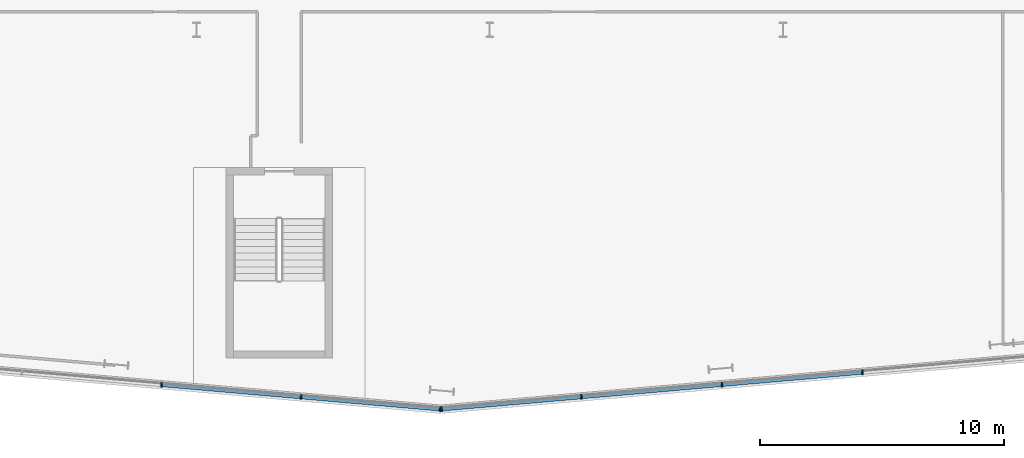
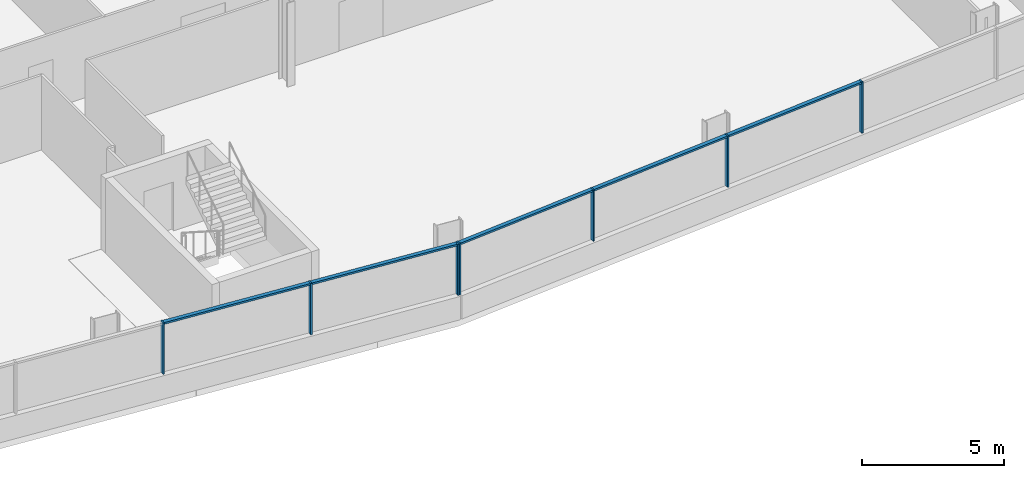
# One storey, part 6 of 24: 12 members, 2 elements without a shape of their own.
"""IFC4 building model written with IfcOpenShell, lengths in metres."""

from ifc_helpers import new_model, si_unit, direction, frame, origin, origin_2d, place, context, subcontext, project, spatial, rectangle, extrude, material, material_profile, profile_set, type_object, element, aggregate, save


model = new_model("IFC4")

# Units and contexts
model_context = context("Model", 3, precision=1e-05, world=origin(), true_north=direction((0.0, 1.0)))
body_context = subcontext(model_context, "Body", "Model", "MODEL_VIEW")
ifc_project = project(units=[si_unit("LENGTHUNIT", "METRE"), si_unit("AREAUNIT", "SQUARE_METRE"), si_unit("VOLUMEUNIT", "CUBIC_METRE"), si_unit("PLANEANGLEUNIT", "RADIAN"), si_unit("MASSUNIT", "GRAM", prefix="KILO")], contexts=[model_context])

# Site, building, storey
site_placement = place(None, origin())
site = spatial("IfcSite", under=ifc_project, at=site_placement, CompositionType="ELEMENT")
building_placement = place(site_placement, origin())
building = spatial("IfcBuilding", under=site, at=building_placement, Name="Wharfspan Tower", CompositionType="ELEMENT")
storey_placement = place(building_placement, frame((0.0, 0.0, 41.5)))
storey = spatial("IfcBuildingStorey", under=building, at=storey_placement, Name="L06", CompositionType="ELEMENT", Elevation=41.5)

# Curtain wall, members
ifc_material = material(Name="Aluminium 6063-T6", Category="aluminium")
curtain_wall_type = type_object("IfcCurtainWallType", Name="CURTAIN WALL FACETED FRONT", PredefinedType="NOTDEFINED", material=ifc_material)
curtain_wall_1_placement = place(storey_placement, origin())
curtain_wall_1 = element("IfcCurtainWall", 1, at=curtain_wall_1_placement, inside=storey, type_object=curtain_wall_type, Name="Curtain wall S1", PredefinedType="NOTDEFINED")
ifc_material_profile_1 = material_profile(ifc_material, rectangle(XDim=0.199951, YDim=0.060059, at=origin_2d()))
ifc_profile_set_1 = profile_set([ifc_material_profile_1], Name="Aluminium 6063-T6")
member_type_1 = type_object("IfcMemberType", Name="MULLION FACETED FRONT 60x200", PredefinedType="MULLION", material=ifc_profile_set_1)
member_1_placement = place(storey_placement, frame((34.571533, -3.024658, 1.0), z_axis=(0.0, 0.0, 1.0), x_axis=(0.087156, 0.996197, 0.0)))
member_1 = element("IfcMember", 2, at=member_1_placement, type_object=member_type_1, Name="Curtain wall S1 mullion 6", PredefinedType="MULLION", context=body_context, shape_type="SweptSolid", body=[
    extrude(rectangle(XDim=0.199951, YDim=0.060059, at=origin_2d()), origin(), (0.0, 0.0, 1.0), 2.199951),
])
member_2_placement = place(storey_placement, frame((40.285645, -3.524658, 1.0), z_axis=(0.0, 0.0, 1.0), x_axis=(0.087156, 0.996197, 0.0)))
member_2 = element("IfcMember", 3, at=member_2_placement, type_object=member_type_1, Name="Curtain wall S1 mullion 7", PredefinedType="MULLION", context=body_context, shape_type="SweptSolid", body=[
    extrude(rectangle(XDim=0.199951, YDim=0.060059, at=origin_2d()), origin(), (0.0, 0.0, 1.0), 2.199951),
])
member_3_placement = place(storey_placement, frame((45.970215, -4.021973, 1.0), z_axis=(0.0, 0.0, 1.0), x_axis=(0.087156, 0.996197, 0.0)))
member_3 = element("IfcMember", 4, at=member_3_placement, type_object=member_type_1, Name="Curtain wall S1 mullion 8", PredefinedType="MULLION", context=body_context, shape_type="SweptSolid", body=[
    extrude(rectangle(XDim=0.199951, YDim=0.060059, at=origin_2d()), origin(), (0.0, 0.0, 1.0), 2.199951),
])

curtain_wall_2_placement = place(storey_placement, origin())
curtain_wall_2 = element("IfcCurtainWall", 5, at=curtain_wall_2_placement, inside=storey, type_object=curtain_wall_type, Name="Curtain wall S2", PredefinedType="NOTDEFINED")
member_4_placement = place(storey_placement, frame((46.029785, -4.021973, 1.0), z_axis=(0.0, 0.0, 1.0), x_axis=(-0.087156, 0.996197, 0.0)))
member_4 = element("IfcMember", 6, at=member_4_placement, type_object=member_type_1, Name="Curtain wall S2 mullion 1", PredefinedType="MULLION", context=body_context, shape_type="SweptSolid", body=[
    extrude(rectangle(XDim=0.199951, YDim=0.060059, at=origin_2d()), origin(), (0.0, 0.0, 1.0), 2.199951),
])
member_5_placement = place(storey_placement, frame((51.75, -3.521484, 1.0), z_axis=(0.0, 0.0, 1.0), x_axis=(-0.087156, 0.996197, 0.0)))
member_5 = element("IfcMember", 7, at=member_5_placement, type_object=member_type_1, Name="Curtain wall S2 mullion 2", PredefinedType="MULLION", context=body_context, shape_type="SweptSolid", body=[
    extrude(rectangle(XDim=0.199951, YDim=0.060059, at=origin_2d()), origin(), (0.0, 0.0, 1.0), 2.199951),
])
member_6_placement = place(storey_placement, frame((57.5, -3.018311, 1.0), z_axis=(0.0, 0.0, 1.0), x_axis=(-0.087156, 0.996197, 0.0)))
member_6 = element("IfcMember", 8, at=member_6_placement, type_object=member_type_1, Name="Curtain wall S2 mullion 3", PredefinedType="MULLION", context=body_context, shape_type="SweptSolid", body=[
    extrude(rectangle(XDim=0.199951, YDim=0.060059, at=origin_2d()), origin(), (0.0, 0.0, 1.0), 2.199951),
])
member_7_placement = place(storey_placement, frame((63.25, -2.515381, 1.0), z_axis=(0.0, 0.0, 1.0), x_axis=(-0.087156, 0.996197, 0.0)))
member_7 = element("IfcMember", 9, at=member_7_placement, type_object=member_type_1, Name="Curtain wall S2 mullion 4", PredefinedType="MULLION", context=body_context, shape_type="SweptSolid", body=[
    extrude(rectangle(XDim=0.199951, YDim=0.060059, at=origin_2d()), origin(), (0.0, 0.0, 1.0), 2.199951),
])

# Member
ifc_material_profile_2 = material_profile(ifc_material, rectangle(XDim=0.159912, YDim=0.080078, at=origin_2d()))
ifc_profile_set_2 = profile_set([ifc_material_profile_2], Name="Aluminium 6063-T6")
member_type_2 = type_object("IfcMemberType", Name="TRANSOM FACETED FRONT 80x160", PredefinedType="USERDEFINED", material=ifc_profile_set_2)
member_8_placement = place(storey_placement, frame((34.601318, -3.027344, 3.159912), z_axis=(0.996196, -0.087142, 0.0), x_axis=(0.087142, 0.996196, 0.0)))
member_8 = element("IfcMember", 10, at=member_8_placement, type_object=member_type_2, Name="Curtain wall S1 transom 6", ObjectType="TRANSOM", PredefinedType="USERDEFINED", context=body_context, shape_type="SweptSolid", body=[
    extrude(rectangle(XDim=0.159912, YDim=0.080078, at=origin_2d()), origin(), (0.0, 0.0, 1.0), 5.676025),
])

member_9_placement = place(storey_placement, frame((40.315674, -3.5271, 3.159912), z_axis=(0.996193, -0.087174, 0.0), x_axis=(0.087174, 0.996193, 0.0)))
member_9 = element("IfcMember", 11, at=member_9_placement, type_object=member_type_2, Name="Curtain wall S1 transom 7", ObjectType="TRANSOM", PredefinedType="USERDEFINED", context=body_context, shape_type="SweptSolid", body=[
    extrude(rectangle(XDim=0.159912, YDim=0.080078, at=origin_2d()), origin(), (0.0, 0.0, 1.0), 5.645996),
])

aggregate(curtain_wall_1, [member_1, member_2, member_3, member_8, member_9])

member_10_placement = place(storey_placement, frame((46.059814, -4.019287, 3.159912), z_axis=(0.996193, 0.08718, 0.0), x_axis=(-0.08718, 0.996193, 0.0)))
member_10 = element("IfcMember", 12, at=member_10_placement, type_object=member_type_2, Name="Curtain wall S2 transom 1", ObjectType="TRANSOM", PredefinedType="USERDEFINED", context=body_context, shape_type="SweptSolid", body=[
    extrude(rectangle(XDim=0.159912, YDim=0.080078, at=origin_2d()), origin(), (0.0, 0.0, 1.0), 5.682129),
])

member_11_placement = place(storey_placement, frame((51.779785, -3.518799, 3.159912), z_axis=(0.996195, 0.087148, 0.0), x_axis=(-0.087148, 0.996195, 0.0)))
member_11 = element("IfcMember", 13, at=member_11_placement, type_object=member_type_2, Name="Curtain wall S2 transom 2", ObjectType="TRANSOM", PredefinedType="USERDEFINED", context=body_context, shape_type="SweptSolid", body=[
    extrude(rectangle(XDim=0.159912, YDim=0.080078, at=origin_2d()), origin(), (0.0, 0.0, 1.0), 5.712158),
])

member_12_placement = place(storey_placement, frame((57.529785, -3.015625, 3.159912), z_axis=(0.996195, 0.087148, 0.0), x_axis=(-0.087148, 0.996195, 0.0)))
member_12 = element("IfcMember", 14, at=member_12_placement, type_object=member_type_2, Name="Curtain wall S2 transom 3", ObjectType="TRANSOM", PredefinedType="USERDEFINED", context=body_context, shape_type="SweptSolid", body=[
    extrude(rectangle(XDim=0.159912, YDim=0.080078, at=origin_2d()), origin(), (0.0, 0.0, 1.0), 5.712158),
])

aggregate(curtain_wall_2, [member_4, member_5, member_6, member_7, member_10, member_11, member_12])

save(model, "model.ifc")
